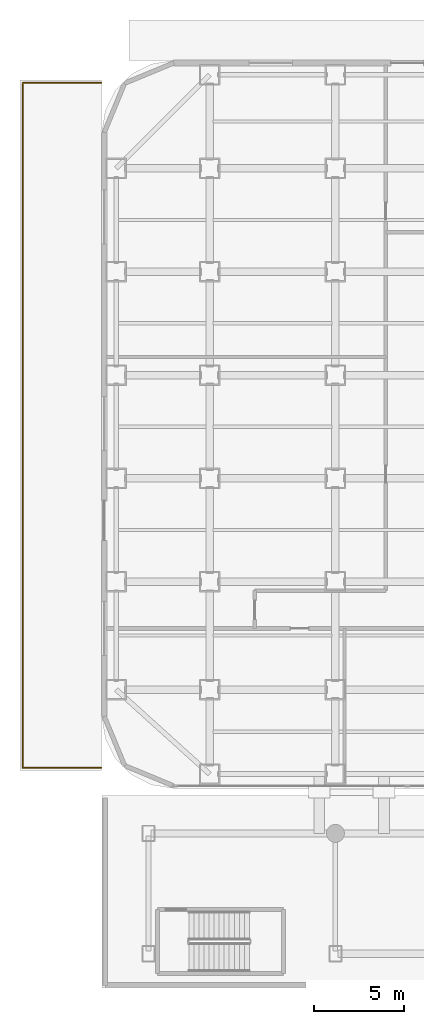
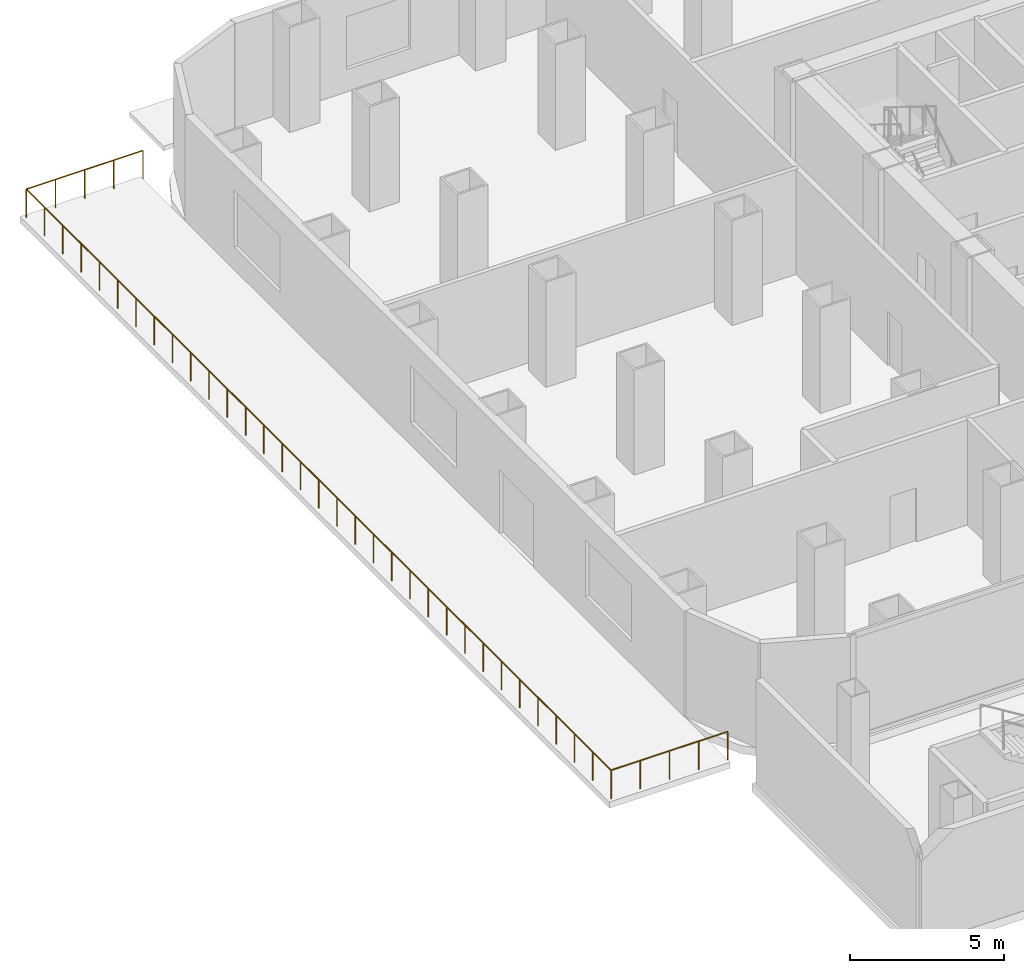
# One storey, part 27 of 31: 1 railing.
"""IFC4 building model written with IfcOpenShell, lengths in metres."""

from ifc_helpers import new_model, si_unit, direction, frame, origin, origin_2d, place, context, subcontext, project, spatial, circle, extrude, material, type_object, element, save


model = new_model("IFC4")

# Units and contexts
model_context = context("Model", 3, precision=1e-05, world=origin(), true_north=direction((0.0, 1.0)))
body_context = subcontext(model_context, "Body", "Model", "MODEL_VIEW")
ifc_project = project(units=[si_unit("LENGTHUNIT", "METRE"), si_unit("AREAUNIT", "SQUARE_METRE"), si_unit("VOLUMEUNIT", "CUBIC_METRE"), si_unit("PLANEANGLEUNIT", "RADIAN"), si_unit("MASSUNIT", "GRAM", prefix="KILO")], contexts=[model_context])

# Site, building, storey
site_placement = place(None, origin())
site = spatial("IfcSite", under=ifc_project, at=site_placement, CompositionType="ELEMENT")
building_placement = place(site_placement, origin())
building = spatial("IfcBuilding", under=site, at=building_placement, Name="Kolveth Station Tower", CompositionType="ELEMENT")
storey_placement = place(building_placement, origin())
storey = spatial("IfcBuildingStorey", under=building, at=storey_placement, Name="L00", CompositionType="ELEMENT", Elevation=0.0)

# Railing
ifc_material = material(Name="Painted Steel S355 balustrade", Category="steel")
railing_type = type_object("IfcRailingType", Name="Guard_GR2", PredefinedType="BALUSTRADE", material=ifc_material)
railing_placement = place(storey_placement, frame((-0.010009765625, 1.14990234375, 0.0)))
element("IfcRailing", 1, at=railing_placement, inside=storey, type_object=railing_type, Name="L00 West Forecourt Perimeter Guard", PredefinedType="BALUSTRADE", context=body_context, shape_type="SweptSolid", body=[
    extrude(circle(Radius=0.02392578125, at=origin_2d()), frame((0.0, 0.0, 1.1259765625), z_axis=(-1.0, 0.0, 0.0), x_axis=(0.0, -1.0, 0.0)), (0.0, 0.0, 1.0), 4.389892578125),
    extrude(circle(Radius=0.02392578125, at=origin_2d()), frame((-4.389892578125, 0.0, 1.1259765625), z_axis=(0.0, 1.0, 0.0), x_axis=(-1.0, 0.0, 0.0)), (0.0, 0.0, 1.0), 38.10009765625),
    extrude(circle(Radius=0.02392578125, at=origin_2d()), frame((-4.389892578125, 38.10009765625, 1.1259765625), z_axis=(1.0, 0.0, 0.0), x_axis=(0.0, 1.0, 0.0)), (0.0, 0.0, 1.0), 4.389892578125),
    extrude(circle(Radius=0.02099609375, at=origin_2d()), origin(), (0.0, 0.0, 1.0), 1.101806640625),
    extrude(circle(Radius=0.02099609375, at=origin_2d()), frame((-1.097412109375, 0.0, 0.0)), (0.0, 0.0, 1.0), 1.101806640625),
    extrude(circle(Radius=0.02099609375, at=origin_2d()), frame((-2.19482421875, 0.0, 0.0)), (0.0, 0.0, 1.0), 1.101806640625),
    extrude(circle(Radius=0.02099609375, at=origin_2d()), frame((-3.29248046875, 0.0, 0.0)), (0.0, 0.0, 1.0), 1.101806640625),
    extrude(circle(Radius=0.02099609375, at=origin_2d()), frame((-4.389892578125, 0.0, 0.0)), (0.0, 0.0, 1.0), 1.101806640625),
    extrude(circle(Radius=0.02099609375, at=origin_2d()), frame((-4.389892578125, 1.190673828125, 0.0)), (0.0, 0.0, 1.0), 1.101806640625),
    extrude(circle(Radius=0.02099609375, at=origin_2d()), frame((-4.389892578125, 2.38134765625, 0.0)), (0.0, 0.0, 1.0), 1.101806640625),
    extrude(circle(Radius=0.02099609375, at=origin_2d()), frame((-4.389892578125, 3.57177734375, 0.0)), (0.0, 0.0, 1.0), 1.101806640625),
    extrude(circle(Radius=0.02099609375, at=origin_2d()), frame((-4.389892578125, 4.762451171875, 0.0)), (0.0, 0.0, 1.0), 1.101806640625),
    extrude(circle(Radius=0.02099609375, at=origin_2d()), frame((-4.389892578125, 5.953125, 0.0)), (0.0, 0.0, 1.0), 1.101806640625),
    extrude(circle(Radius=0.02099609375, at=origin_2d()), frame((-4.389892578125, 7.143798828125, 0.0)), (0.0, 0.0, 1.0), 1.101806640625),
    extrude(circle(Radius=0.02099609375, at=origin_2d()), frame((-4.389892578125, 8.33447265625, 0.0)), (0.0, 0.0, 1.0), 1.101806640625),
    extrude(circle(Radius=0.02099609375, at=origin_2d()), frame((-4.389892578125, 9.52490234375, 0.0)), (0.0, 0.0, 1.0), 1.101806640625),
    extrude(circle(Radius=0.02099609375, at=origin_2d()), frame((-4.389892578125, 10.715576171875, 0.0)), (0.0, 0.0, 1.0), 1.101806640625),
    extrude(circle(Radius=0.02099609375, at=origin_2d()), frame((-4.389892578125, 11.90625, 0.0)), (0.0, 0.0, 1.0), 1.101806640625),
    extrude(circle(Radius=0.02099609375, at=origin_2d()), frame((-4.389892578125, 13.096923828125, 0.0)), (0.0, 0.0, 1.0), 1.101806640625),
    extrude(circle(Radius=0.02099609375, at=origin_2d()), frame((-4.389892578125, 14.28759765625, 0.0)), (0.0, 0.0, 1.0), 1.101806640625),
    extrude(circle(Radius=0.02099609375, at=origin_2d()), frame((-4.389892578125, 15.478271484375, 0.0)), (0.0, 0.0, 1.0), 1.101806640625),
    extrude(circle(Radius=0.02099609375, at=origin_2d()), frame((-4.389892578125, 16.668701171875, 0.0)), (0.0, 0.0, 1.0), 1.101806640625),
    extrude(circle(Radius=0.02099609375, at=origin_2d()), frame((-4.389892578125, 17.859375, 0.0)), (0.0, 0.0, 1.0), 1.101806640625),
    extrude(circle(Radius=0.02099609375, at=origin_2d()), frame((-4.389892578125, 19.050048828125, 0.0)), (0.0, 0.0, 1.0), 1.101806640625),
    extrude(circle(Radius=0.02099609375, at=origin_2d()), frame((-4.389892578125, 20.24072265625, 0.0)), (0.0, 0.0, 1.0), 1.101806640625),
    extrude(circle(Radius=0.02099609375, at=origin_2d()), frame((-4.389892578125, 21.431396484375, 0.0)), (0.0, 0.0, 1.0), 1.101806640625),
    extrude(circle(Radius=0.02099609375, at=origin_2d()), frame((-4.389892578125, 22.621826171875, 0.0)), (0.0, 0.0, 1.0), 1.101806640625),
    extrude(circle(Radius=0.02099609375, at=origin_2d()), frame((-4.389892578125, 23.8125, 0.0)), (0.0, 0.0, 1.0), 1.101806640625),
    extrude(circle(Radius=0.02099609375, at=origin_2d()), frame((-4.389892578125, 25.003173828125, 0.0)), (0.0, 0.0, 1.0), 1.101806640625),
    extrude(circle(Radius=0.02099609375, at=origin_2d()), frame((-4.389892578125, 26.19384765625, 0.0)), (0.0, 0.0, 1.0), 1.101806640625),
    extrude(circle(Radius=0.02099609375, at=origin_2d()), frame((-4.389892578125, 27.384521484375, 0.0)), (0.0, 0.0, 1.0), 1.101806640625),
    extrude(circle(Radius=0.02099609375, at=origin_2d()), frame((-4.389892578125, 28.5751953125, 0.0)), (0.0, 0.0, 1.0), 1.101806640625),
    extrude(circle(Radius=0.02099609375, at=origin_2d()), frame((-4.389892578125, 29.765625, 0.0)), (0.0, 0.0, 1.0), 1.101806640625),
    extrude(circle(Radius=0.02099609375, at=origin_2d()), frame((-4.389892578125, 30.956298828125, 0.0)), (0.0, 0.0, 1.0), 1.101806640625),
    extrude(circle(Radius=0.02099609375, at=origin_2d()), frame((-4.389892578125, 32.14697265625, 0.0)), (0.0, 0.0, 1.0), 1.101806640625),
    extrude(circle(Radius=0.02099609375, at=origin_2d()), frame((-4.389892578125, 33.337646484375, 0.0)), (0.0, 0.0, 1.0), 1.101806640625),
    extrude(circle(Radius=0.02099609375, at=origin_2d()), frame((-4.389892578125, 34.5283203125, 0.0)), (0.0, 0.0, 1.0), 1.101806640625),
    extrude(circle(Radius=0.02099609375, at=origin_2d()), frame((-4.389892578125, 35.71875, 0.0)), (0.0, 0.0, 1.0), 1.101806640625),
    extrude(circle(Radius=0.02099609375, at=origin_2d()), frame((-4.389892578125, 36.909423828125, 0.0)), (0.0, 0.0, 1.0), 1.101806640625),
    extrude(circle(Radius=0.02099609375, at=origin_2d()), frame((-4.389892578125, 38.10009765625, 0.0)), (0.0, 0.0, 1.0), 1.101806640625),
    extrude(circle(Radius=0.02099609375, at=origin_2d()), frame((-3.29248046875, 38.10009765625, 0.0)), (0.0, 0.0, 1.0), 1.101806640625),
    extrude(circle(Radius=0.02099609375, at=origin_2d()), frame((-2.19482421875, 38.10009765625, 0.0)), (0.0, 0.0, 1.0), 1.101806640625),
    extrude(circle(Radius=0.02099609375, at=origin_2d()), frame((-1.097412109375, 38.10009765625, 0.0)), (0.0, 0.0, 1.0), 1.101806640625),
    extrude(circle(Radius=0.02099609375, at=origin_2d()), frame((0.0, 38.10009765625, 0.0)), (0.0, 0.0, 1.0), 1.101806640625),
])

save(model, "model.ifc")
